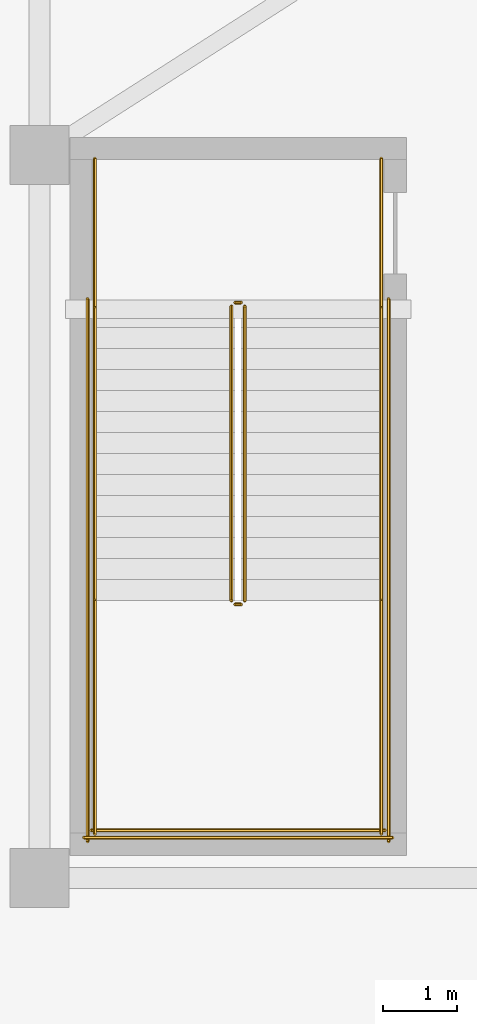
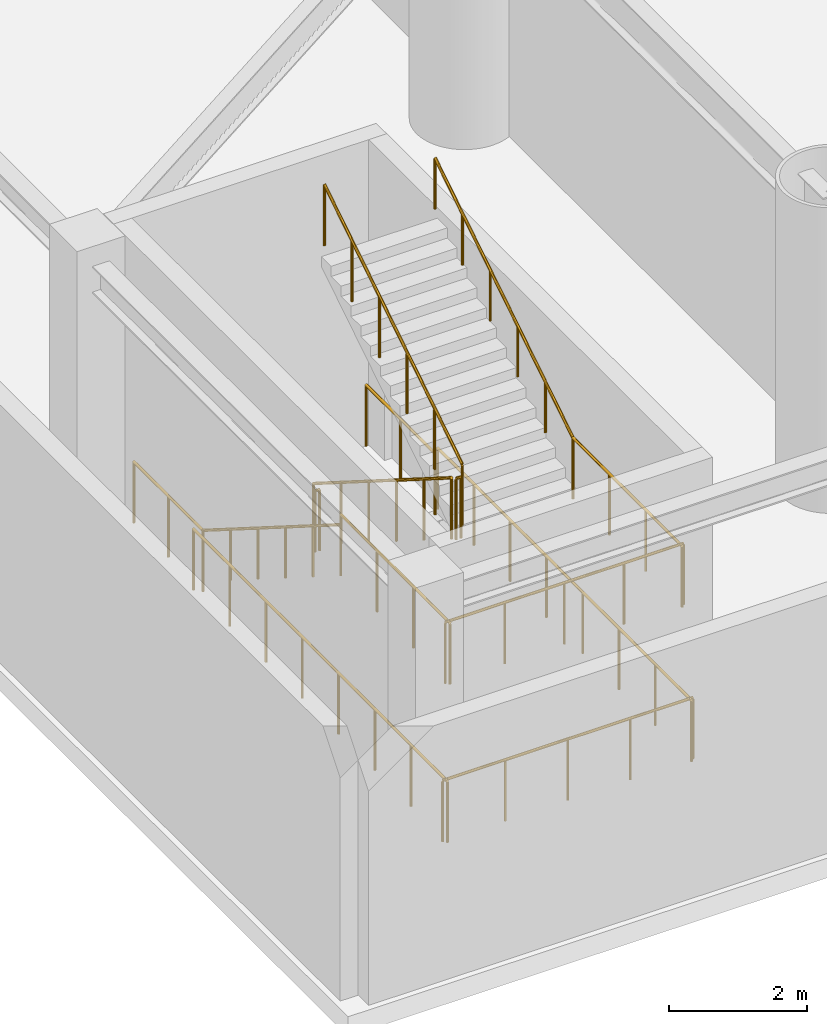
# One storey, part 10 of 16: 14 railings.
"""IFC4 building model written with IfcOpenShell, lengths in metres."""

from ifc_helpers import new_model, si_unit, direction, frame, origin, origin_2d, place, context, subcontext, project, spatial, circle, extrude, material, type_object, element, save


model = new_model("IFC4")

# Units and contexts
model_context = context("Model", 3, precision=1e-05, world=origin(), true_north=direction((0.0, 1.0)))
body_context = subcontext(model_context, "Body", "Model", "MODEL_VIEW")
ifc_project = project(units=[si_unit("LENGTHUNIT", "METRE"), si_unit("AREAUNIT", "SQUARE_METRE"), si_unit("VOLUMEUNIT", "CUBIC_METRE"), si_unit("PLANEANGLEUNIT", "RADIAN"), si_unit("MASSUNIT", "GRAM", prefix="KILO")], contexts=[model_context])

# Site, building, storey
site_placement = place(None, origin())
site = spatial("IfcSite", under=ifc_project, at=site_placement, CompositionType="ELEMENT")
building_placement = place(site_placement, origin())
building = spatial("IfcBuilding", under=site, at=building_placement, Name="Bramvorn Convention Spire", CompositionType="ELEMENT")
storey_placement = place(building_placement, frame((0.0, 0.0, 18.60009765625)))
storey = spatial("IfcBuildingStorey", under=building, at=storey_placement, Name="L03", CompositionType="ELEMENT", Elevation=18.60009765625)

# Railings
ifc_material_1 = material(Name="Painted Steel Balustrade & Guardrail", Category="steel")
railing_type_1 = type_object("IfcRailingType", Name="RL-STAIR-GUARD-1100", PredefinedType="GUARDRAIL", material=ifc_material_1)
railing_1_placement = place(storey_placement, frame((5.39990234375, 10.35009765625, 0.179931640625)))
element("IfcRailing", 1, at=railing_1_placement, inside=storey, type_object=railing_type_1, Name="L03 ST4 stair guard 1", PredefinedType="GUARDRAIL", context=body_context, shape_type="SweptSolid", body=[
    extrude(circle(Radius=0.02392578125, at=origin_2d()), frame((0.0, 0.0, 1.076171875), z_axis=(0.0, -0.845486444383, 0.533996884227), x_axis=(1.0, 0.0, 0.0)), (0.0, 0.0, 1.0), 4.71923828125),
    extrude(circle(Radius=0.02099609375, at=origin_2d()), origin(), (0.0, 0.0, 1.0), 1.052001953125),
    extrude(circle(Radius=0.02099609375, at=origin_2d()), frame((0.0, -0.798095703125, 0.50390625)), (0.0, 0.0, 1.0), 1.052001953125),
    extrude(circle(Radius=0.02099609375, at=origin_2d()), frame((0.0, -1.595947265625, 1.008056640625)), (0.0, 0.0, 1.0), 1.052001953125),
    extrude(circle(Radius=0.02099609375, at=origin_2d()), frame((0.0, -2.39404296875, 1.511962890625)), (0.0, 0.0, 1.0), 1.052001953125),
    extrude(circle(Radius=0.02099609375, at=origin_2d()), frame((0.0, -3.19189453125, 2.01611328125)), (0.0, 0.0, 1.0), 1.052001953125),
    extrude(circle(Radius=0.02099609375, at=origin_2d()), frame((0.0, -3.989990234375, 2.52001953125)), (0.0, 0.0, 1.0), 1.052001953125),
])
railing_2_placement = place(storey_placement, frame((5.449951171875, 6.31005859375, 2.699951171875)))
element("IfcRailing", 2, at=railing_2_placement, inside=storey, type_object=railing_type_1, Name="L03 ST4 stair guard 2", PredefinedType="GUARDRAIL", context=body_context, shape_type="SweptSolid", body=[
    extrude(circle(Radius=0.02392578125, at=origin_2d()), frame((0.0, 0.0, 1.076171875), z_axis=(1.0, 0.0, 0.0), x_axis=(0.0, 1.0, 0.0)), (0.0, 0.0, 1.0), 0.080078125),
    extrude(circle(Radius=0.02099609375, at=origin_2d()), origin(), (0.0, 0.0, 1.0), 1.052001953125),
    extrude(circle(Radius=0.02099609375, at=origin_2d()), frame((0.080078125, 0.0, 0.0)), (0.0, 0.0, 1.0), 1.052001953125),
])
for number, where, name in (
    (3, (3.550048828125, 6.360107421875, 2.699951171875), "L03 ST4 stair guard 3"),
    (4, (7.429931640625, 6.360107421875, 2.699951171875), "L03 ST4 stair guard 4"),
):
    element("IfcRailing", number, at=place(storey_placement, frame(where)), inside=storey, type_object=railing_type_1, Name=name, PredefinedType="GUARDRAIL", context=body_context, shape_type="SweptSolid", body=[
        extrude(circle(Radius=0.02392578125, at=origin_2d()), frame((0.0, 0.0, 1.076171875), z_axis=(0.0, -1.0, 0.0), x_axis=(1.0, 0.0, 0.0)), (0.0, 0.0, 1.0), 3.16015625),
        extrude(circle(Radius=0.02099609375, at=origin_2d()), origin(), (0.0, 0.0, 1.0), 1.052001953125),
        extrude(circle(Radius=0.02099609375, at=origin_2d()), frame((0.0, -1.053466796875, 0.0)), (0.0, 0.0, 1.0), 1.052001953125),
        extrude(circle(Radius=0.02099609375, at=origin_2d()), frame((0.0, -2.106689453125, 0.0)), (0.0, 0.0, 1.0), 1.052001953125),
        extrude(circle(Radius=0.02099609375, at=origin_2d()), frame((0.0, -3.16015625, 0.0)), (0.0, 0.0, 1.0), 1.052001953125),
    ])
railing_3_placement = place(storey_placement, frame((3.5, 3.25, 2.699951171875)))
element("IfcRailing", 5, at=railing_3_placement, inside=storey, type_object=railing_type_1, Name="L03 ST4 stair guard 5", PredefinedType="GUARDRAIL", context=body_context, shape_type="SweptSolid", body=[
    extrude(circle(Radius=0.02392578125, at=origin_2d()), frame((0.0, 0.0, 1.076171875), z_axis=(1.0, 0.0, 0.0), x_axis=(0.0, 1.0, 0.0)), (0.0, 0.0, 1.0), 3.97998046875),
    extrude(circle(Radius=0.02099609375, at=origin_2d()), origin(), (0.0, 0.0, 1.0), 1.052001953125),
    extrude(circle(Radius=0.02099609375, at=origin_2d()), frame((0.9951171875, 0.0, 0.0)), (0.0, 0.0, 1.0), 1.052001953125),
    extrude(circle(Radius=0.02099609375, at=origin_2d()), frame((1.989990234375, 0.0, 0.0)), (0.0, 0.0, 1.0), 1.052001953125),
    extrude(circle(Radius=0.02099609375, at=origin_2d()), frame((2.98486328125, 0.0, 0.0)), (0.0, 0.0, 1.0), 1.052001953125),
    extrude(circle(Radius=0.02099609375, at=origin_2d()), frame((3.97998046875, 0.0, 0.0)), (0.0, 0.0, 1.0), 1.052001953125),
])
railing_4_placement = place(storey_placement, frame((5.580078125, 6.360107421875, 2.8798828125)))
element("IfcRailing", 6, at=railing_4_placement, inside=storey, type_object=railing_type_1, Name="L03 ST4 stair guard 6", PredefinedType="GUARDRAIL", context=body_context, shape_type="SweptSolid", body=[
    extrude(circle(Radius=0.02392578125, at=origin_2d()), frame((0.0, 0.0, 1.076171875), z_axis=(0.0, 0.845486444383, 0.533996884227), x_axis=(-1.0, 0.0, 0.0)), (0.0, 0.0, 1.0), 4.71923828125),
    extrude(circle(Radius=0.02099609375, at=origin_2d()), origin(), (0.0, 0.0, 1.0), 1.052001953125),
    extrude(circle(Radius=0.02099609375, at=origin_2d()), frame((0.0, 0.798095703125, 0.50390625)), (0.0, 0.0, 1.0), 1.052001953125),
    extrude(circle(Radius=0.02099609375, at=origin_2d()), frame((0.0, 1.595947265625, 1.008056640625)), (0.0, 0.0, 1.0), 1.052001953125),
    extrude(circle(Radius=0.02099609375, at=origin_2d()), frame((0.0, 2.39404296875, 1.511962890625)), (0.0, 0.0, 1.0), 1.052001953125),
    extrude(circle(Radius=0.02099609375, at=origin_2d()), frame((0.0, 3.19189453125, 2.01611328125)), (0.0, 0.0, 1.0), 1.052001953125),
    extrude(circle(Radius=0.02099609375, at=origin_2d()), frame((0.0, 3.989990234375, 2.52001953125)), (0.0, 0.0, 1.0), 1.052001953125),
])
railing_5_placement = place(storey_placement, frame((5.449951171875, 10.39990234375, 0.0)))
element("IfcRailing", 7, at=railing_5_placement, inside=storey, type_object=railing_type_1, Name="L03 ST4 stair guard 7", PredefinedType="GUARDRAIL", context=body_context, shape_type="SweptSolid", body=[
    extrude(circle(Radius=0.02392578125, at=origin_2d()), frame((0.0, 0.0, 1.076171875), z_axis=(1.0, 0.0, 0.0), x_axis=(0.0, 1.0, 0.0)), (0.0, 0.0, 1.0), 0.080078125),
    extrude(circle(Radius=0.02099609375, at=origin_2d()), origin(), (0.0, 0.0, 1.0), 1.052001953125),
    extrude(circle(Radius=0.02099609375, at=origin_2d()), frame((0.080078125, 0.0, 0.0)), (0.0, 0.0, 1.0), 1.052001953125),
])
for number, where, name in (
    (8, (3.550048828125, 12.35009765625, 0.0), "L03 ST4 stair guard 8"),
    (9, (7.429931640625, 12.35009765625, 0.0), "L03 ST4 stair guard 9"),
):
    element("IfcRailing", number, at=place(storey_placement, frame(where)), inside=storey, type_object=railing_type_1, Name=name, PredefinedType="GUARDRAIL", context=body_context, shape_type="SweptSolid", body=[
        extrude(circle(Radius=0.02392578125, at=origin_2d()), frame((0.0, 0.0, 1.076171875), z_axis=(0.0, -1.0, 0.0), x_axis=(1.0, 0.0, 0.0)), (0.0, 0.0, 1.0), 2.0),
        extrude(circle(Radius=0.02099609375, at=origin_2d()), origin(), (0.0, 0.0, 1.0), 1.052001953125),
        extrude(circle(Radius=0.02099609375, at=origin_2d()), frame((0.0, -1.0, 0.0)), (0.0, 0.0, 1.0), 1.052001953125),
        extrude(circle(Radius=0.02099609375, at=origin_2d()), frame((0.0, -2.0, 0.0)), (0.0, 0.0, 1.0), 1.052001953125),
    ])
for number, where, name in (
    (10, (3.449951171875, 10.449951171875, 0.0), "L03 ST4 stair guard 10"),
    (11, (7.530029296875, 10.449951171875, 0.0), "L03 ST4 stair guard 11"),
):
    element("IfcRailing", number, at=place(storey_placement, frame(where)), inside=storey, type_object=railing_type_1, Name=name, PredefinedType="GUARDRAIL", context=body_context, shape_type="SweptSolid", body=[
        extrude(circle(Radius=0.02392578125, at=origin_2d()), frame((0.0, 0.0, 1.076171875), z_axis=(0.0, -1.0, 0.0), x_axis=(1.0, 0.0, 0.0)), (0.0, 0.0, 1.0), 7.349853515625),
        extrude(circle(Radius=0.02099609375, at=origin_2d()), origin(), (0.0, 0.0, 1.0), 1.052001953125),
        extrude(circle(Radius=0.02099609375, at=origin_2d()), frame((0.0, -1.050048828125, 0.0)), (0.0, 0.0, 1.0), 1.052001953125),
        extrude(circle(Radius=0.02099609375, at=origin_2d()), frame((0.0, -2.099853515625, 0.0)), (0.0, 0.0, 1.0), 1.052001953125),
        extrude(circle(Radius=0.02099609375, at=origin_2d()), frame((0.0, -3.14990234375, 0.0)), (0.0, 0.0, 1.0), 1.052001953125),
        extrude(circle(Radius=0.02099609375, at=origin_2d()), frame((0.0, -4.199951171875, 0.0)), (0.0, 0.0, 1.0), 1.052001953125),
        extrude(circle(Radius=0.02099609375, at=origin_2d()), frame((0.0, -5.25, 0.0)), (0.0, 0.0, 1.0), 1.052001953125),
        extrude(circle(Radius=0.02099609375, at=origin_2d()), frame((0.0, -6.2998046875, 0.0)), (0.0, 0.0, 1.0), 1.052001953125),
        extrude(circle(Radius=0.02099609375, at=origin_2d()), frame((0.0, -7.349853515625, 0.0)), (0.0, 0.0, 1.0), 1.052001953125),
    ])
railing_6_placement = place(storey_placement, frame((3.39990234375, 3.14990234375, 0.0)))
element("IfcRailing", 12, at=railing_6_placement, inside=storey, type_object=railing_type_1, Name="L03 ST4 stair guard 12", PredefinedType="GUARDRAIL", context=body_context, shape_type="SweptSolid", body=[
    extrude(circle(Radius=0.02392578125, at=origin_2d()), frame((0.0, 0.0, 1.076171875), z_axis=(1.0, 0.0, 0.0), x_axis=(0.0, 1.0, 0.0)), (0.0, 0.0, 1.0), 4.18017578125),
    extrude(circle(Radius=0.02099609375, at=origin_2d()), origin(), (0.0, 0.0, 1.0), 1.052001953125),
    extrude(circle(Radius=0.02099609375, at=origin_2d()), frame((1.044921875, 0.0, 0.0)), (0.0, 0.0, 1.0), 1.052001953125),
    extrude(circle(Radius=0.02099609375, at=origin_2d()), frame((2.090087890625, 0.0, 0.0)), (0.0, 0.0, 1.0), 1.052001953125),
    extrude(circle(Radius=0.02099609375, at=origin_2d()), frame((3.13525390625, 0.0, 0.0)), (0.0, 0.0, 1.0), 1.052001953125),
    extrude(circle(Radius=0.02099609375, at=origin_2d()), frame((4.18017578125, 0.0, 0.0)), (0.0, 0.0, 1.0), 1.052001953125),
])
ifc_material_2 = material(Name="Brushed Bronze Tubular Handrail", Category="aluminium")
railing_type_2 = type_object("IfcRailingType", Name="RL-STAIR-HR-920", PredefinedType="HANDRAIL", material=ifc_material_2)
railing_7_placement = place(storey_placement, frame((3.550048828125, 10.35009765625, 0.179931640625)))
element("IfcRailing", 13, at=railing_7_placement, inside=storey, type_object=railing_type_2, Name="L03 ST4 stair handrail 1", PredefinedType="HANDRAIL", context=body_context, shape_type="SweptSolid", body=[
    extrude(circle(Radius=0.02392578125, at=origin_2d()), frame((0.0, 0.0, 0.89599609375), z_axis=(0.0, -0.845486444383, 0.533996884227), x_axis=(1.0, 0.0, 0.0)), (0.0, 0.0, 1.0), 4.71923828125),
    extrude(circle(Radius=0.02099609375, at=origin_2d()), origin(), (0.0, 0.0, 1.0), 0.871826171875),
    extrude(circle(Radius=0.02099609375, at=origin_2d()), frame((0.0, -0.798095703125, 0.50390625)), (0.0, 0.0, 1.0), 0.871826171875),
    extrude(circle(Radius=0.02099609375, at=origin_2d()), frame((0.0, -1.595947265625, 1.008056640625)), (0.0, 0.0, 1.0), 0.871826171875),
    extrude(circle(Radius=0.02099609375, at=origin_2d()), frame((0.0, -2.39404296875, 1.511962890625)), (0.0, 0.0, 1.0), 0.871826171875),
    extrude(circle(Radius=0.02099609375, at=origin_2d()), frame((0.0, -3.19189453125, 2.01611328125)), (0.0, 0.0, 1.0), 0.871826171875),
    extrude(circle(Radius=0.02099609375, at=origin_2d()), frame((0.0, -3.989990234375, 2.52001953125)), (0.0, 0.0, 1.0), 0.871826171875),
])
railing_8_placement = place(storey_placement, frame((7.429931640625, 6.360107421875, 2.8798828125)))
element("IfcRailing", 14, at=railing_8_placement, inside=storey, type_object=railing_type_2, Name="L03 ST4 stair handrail 2", PredefinedType="HANDRAIL", context=body_context, shape_type="SweptSolid", body=[
    extrude(circle(Radius=0.02392578125, at=origin_2d()), frame((0.0, 0.0, 0.89599609375), z_axis=(0.0, 0.845486444383, 0.533996884227), x_axis=(-1.0, 0.0, 0.0)), (0.0, 0.0, 1.0), 4.71923828125),
    extrude(circle(Radius=0.02099609375, at=origin_2d()), origin(), (0.0, 0.0, 1.0), 0.871826171875),
    extrude(circle(Radius=0.02099609375, at=origin_2d()), frame((0.0, 0.798095703125, 0.50390625)), (0.0, 0.0, 1.0), 0.871826171875),
    extrude(circle(Radius=0.02099609375, at=origin_2d()), frame((0.0, 1.595947265625, 1.008056640625)), (0.0, 0.0, 1.0), 0.871826171875),
    extrude(circle(Radius=0.02099609375, at=origin_2d()), frame((0.0, 2.39404296875, 1.511962890625)), (0.0, 0.0, 1.0), 0.871826171875),
    extrude(circle(Radius=0.02099609375, at=origin_2d()), frame((0.0, 3.19189453125, 2.01611328125)), (0.0, 0.0, 1.0), 0.871826171875),
    extrude(circle(Radius=0.02099609375, at=origin_2d()), frame((0.0, 3.989990234375, 2.52001953125)), (0.0, 0.0, 1.0), 0.871826171875),
])

save(model, "model.ifc")
